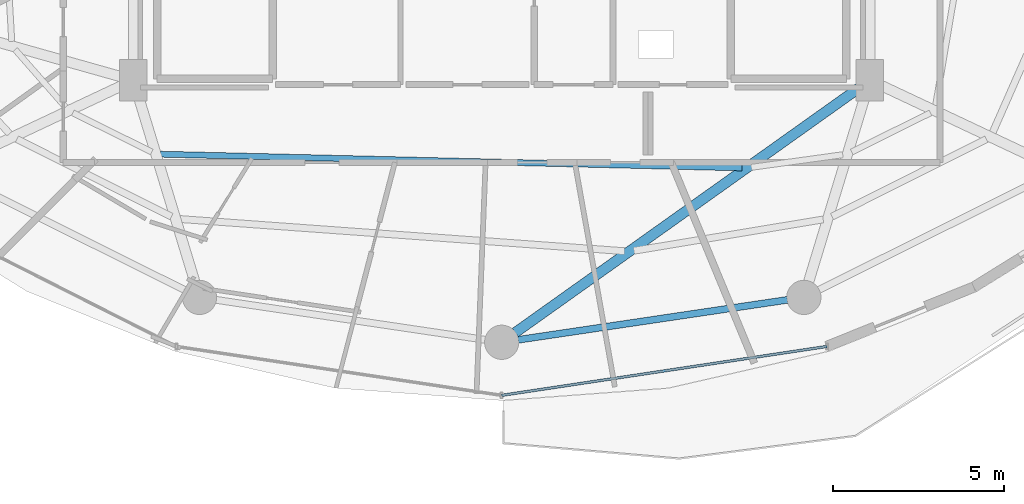
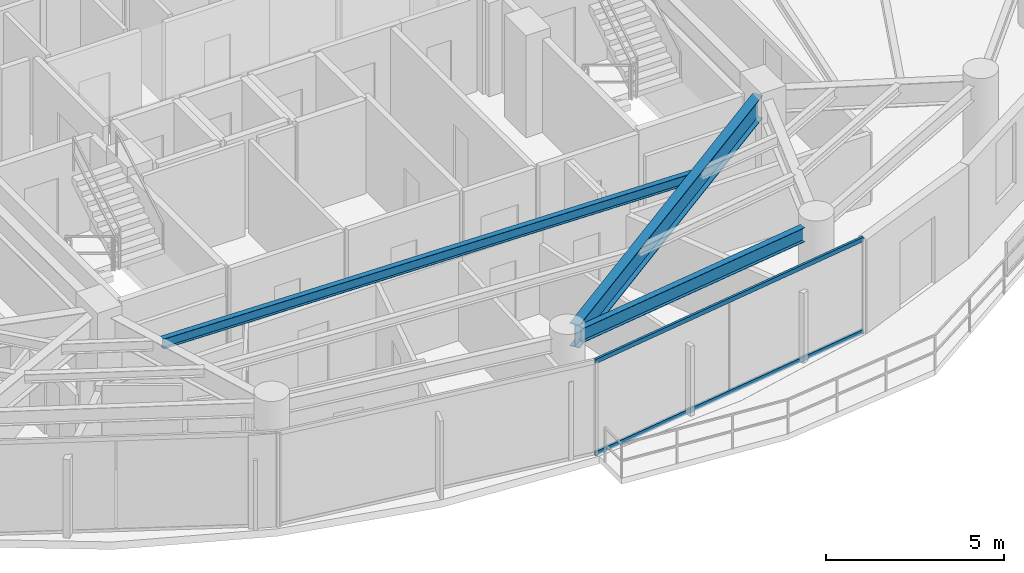
# One storey, part 7 of 29: 3 beams, 2 members, 1 element without a shape of its own.
"""IFC4 building model written with IfcOpenShell, lengths in metres."""

from ifc_helpers import new_model, si_unit, direction, frame, origin, origin_2d, place, context, subcontext, project, spatial, hollow_rectangle, i_section, extrude, material, material_profile, profile_set, type_object, element, aggregate, save


model = new_model("IFC4")

# Units and contexts
model_context = context("Model", 3, precision=1e-05, world=origin(), true_north=direction((0.0, 1.0)))
body_context = subcontext(model_context, "Body", "Model", "MODEL_VIEW")
ifc_project = project(units=[si_unit("LENGTHUNIT", "METRE"), si_unit("AREAUNIT", "SQUARE_METRE"), si_unit("VOLUMEUNIT", "CUBIC_METRE"), si_unit("PLANEANGLEUNIT", "RADIAN"), si_unit("MASSUNIT", "GRAM", prefix="KILO")], contexts=[model_context])

# Site, building, storey
site_placement = place(None, origin())
site = spatial("IfcSite", under=ifc_project, at=site_placement, CompositionType="ELEMENT")
building_placement = place(site_placement, origin())
building = spatial("IfcBuilding", under=site, at=building_placement, Name="Vorneva Point Tower", CompositionType="ELEMENT")
storey_placement = place(building_placement, frame((0.0, 0.0, 171.10009765625)))
storey = spatial("IfcBuildingStorey", under=building, at=storey_placement, Name="L46", CompositionType="ELEMENT", Elevation=171.10009765625)

# Beams
ifc_material_1 = material(Name="Steel S355", Category="steel")
ifc_material_profile_1 = material_profile(ifc_material_1, i_section(OverallWidth=0.300048828125, OverallDepth=0.7880859375, WebThickness=0.014404296875, FlangeThickness=0.02197265625, at=origin_2d()), Name="80Sh1")
ifc_profile_set_1 = profile_set([ifc_material_profile_1], Name="Steel S355")
beam_type_1 = type_object("IfcBeamType", Name="BM-GRD-80Sh1", PredefinedType="USERDEFINED", material=ifc_profile_set_1)
beam_1_placement = place(storey_placement, frame((38.397705078125, 9.0830078125, 2.805908203125), z_axis=(0.814751382529, 0.579810473057, 0.0), x_axis=(-0.579810473057, 0.814751382529, 0.0)))
element("IfcBeam", 1, at=beam_1_placement, inside=storey, type_object=beam_type_1, Name="L46 Radial Primary Girder 13", ObjectType="GIRDER", PredefinedType="USERDEFINED", context=body_context, shape_type="SweptSolid", body=[
    extrude(i_section(OverallWidth=0.300048828125, OverallDepth=0.7880859375, WebThickness=0.014404296875, FlangeThickness=0.02197265625, at=origin_2d()), origin(), (0.0, 0.0, 1.0), 12.365966796875),
])
ifc_material_profile_2 = material_profile(ifc_material_1, i_section(OverallWidth=0.174072265625, OverallDepth=0.345947265625, WebThickness=0.006103515625, FlangeThickness=0.009033203125, at=origin_2d()), Name="35B1")
ifc_profile_set_2 = profile_set([ifc_material_profile_2], Name="Steel S355")
beam_type_2 = type_object("IfcBeamType", Name="BM-SEC-35B1", PredefinedType="BEAM", material=ifc_profile_set_2)
beam_2_placement = place(storey_placement, frame((28.0439453125, 14.290283203125, 3.02685546875), z_axis=(0.999721995287, -0.023578213231, 0.0), x_axis=(0.023578213231, 0.999721995287, 0.0)))
element("IfcBeam", 2, at=beam_2_placement, inside=storey, type_object=beam_type_2, Name="L46 Secondary Floor Beam 2.12", PredefinedType="BEAM", context=body_context, shape_type="SweptSolid", body=[
    extrude(i_section(OverallWidth=0.174072265625, OverallDepth=0.345947265625, WebThickness=0.006103515625, FlangeThickness=0.009033203125, at=origin_2d()), origin(), (0.0, 0.0, 1.0), 16.970947265625),
])
ifc_material_profile_3 = material_profile(ifc_material_1, i_section(OverallWidth=0.199951171875, OverallDepth=0.491943359375, WebThickness=0.0087890625, FlangeThickness=0.011962890625, at=origin_2d()), Name="50B1")
ifc_profile_set_3 = profile_set([ifc_material_profile_3], Name="Steel S355")
beam_type_3 = type_object("IfcBeamType", Name="BM-SPN-50B1", PredefinedType="SPANDREL", material=ifc_profile_set_3)
beam_3_placement = place(storey_placement, frame((38.479736328125, 8.87109375, 2.953857421875), z_axis=(0.989161199046, 0.146833655211, 0.0), x_axis=(-0.146833655211, 0.989161199046, 0.0)))
element("IfcBeam", 3, at=beam_3_placement, inside=storey, type_object=beam_type_3, Name="L46 Perimeter Spandrel Ring Beam 13", PredefinedType="SPANDREL", context=body_context, shape_type="SweptSolid", body=[
    extrude(i_section(OverallWidth=0.199951171875, OverallDepth=0.491943359375, WebThickness=0.0087890625, FlangeThickness=0.011962890625, at=origin_2d()), origin(), (0.0, 0.0, 1.0), 7.94775390625),
])

# Curtain wall, members
ifc_material_2 = material(Name="Pale anodised aluminium", Category="aluminium")
curtain_wall_type = type_object("IfcCurtainWallType", Name="CW-RES-SYS", PredefinedType="NOTDEFINED", material=ifc_material_2)
curtain_wall_placement = place(storey_placement, origin())
curtain_wall = element("IfcCurtainWall", 4, at=curtain_wall_placement, inside=storey, type_object=curtain_wall_type, Name="L46 Unitised Curtain Wall CW-L46-R04", PredefinedType="NOTDEFINED")
ifc_material_profile_4 = material_profile(ifc_material_2, hollow_rectangle(XDim=0.074951171875, YDim=0.14990234375, WallThickness=0.00390625, at=origin_2d()), Name="AL-TRN 150x75x4")
ifc_profile_set_4 = profile_set([ifc_material_profile_4], Name="Pale anodised aluminium")
member_type = type_object("IfcMemberType", Name="CW-TRN-150", PredefinedType="USERDEFINED", material=ifc_profile_set_4)
member_1_placement = place(storey_placement, frame((38.0, 7.25, 0.02001953125), z_axis=(0.988880117727, 0.148714870687, 0.0), x_axis=(-0.148714870687, 0.988880117727, 0.0)))
member_1 = element("IfcMember", 5, at=member_1_placement, type_object=member_type, Name="CW-L46-R04 Transom 03.1", ObjectType="TRANSOM", PredefinedType="USERDEFINED", context=body_context, shape_type="SweptSolid", body=[
    extrude(hollow_rectangle(XDim=0.074951171875, YDim=0.14990234375, WallThickness=0.00390625, at=origin_2d()), origin(), (0.0, 0.0, 1.0), 9.59716796875),
])
member_2_placement = place(storey_placement, frame((38.0, 7.25, 3.179931640625), z_axis=(0.988880117727, 0.148714870687, 0.0), x_axis=(-0.148714870687, 0.988880117727, 0.0)))
member_2 = element("IfcMember", 6, at=member_2_placement, type_object=member_type, Name="CW-L46-R04 Transom 03.2", ObjectType="TRANSOM", PredefinedType="USERDEFINED", context=body_context, shape_type="SweptSolid", body=[
    extrude(hollow_rectangle(XDim=0.074951171875, YDim=0.14990234375, WallThickness=0.00390625, at=origin_2d()), origin(), (0.0, 0.0, 1.0), 9.59716796875),
])
aggregate(curtain_wall, [member_1, member_2])

save(model, "model.ifc")
